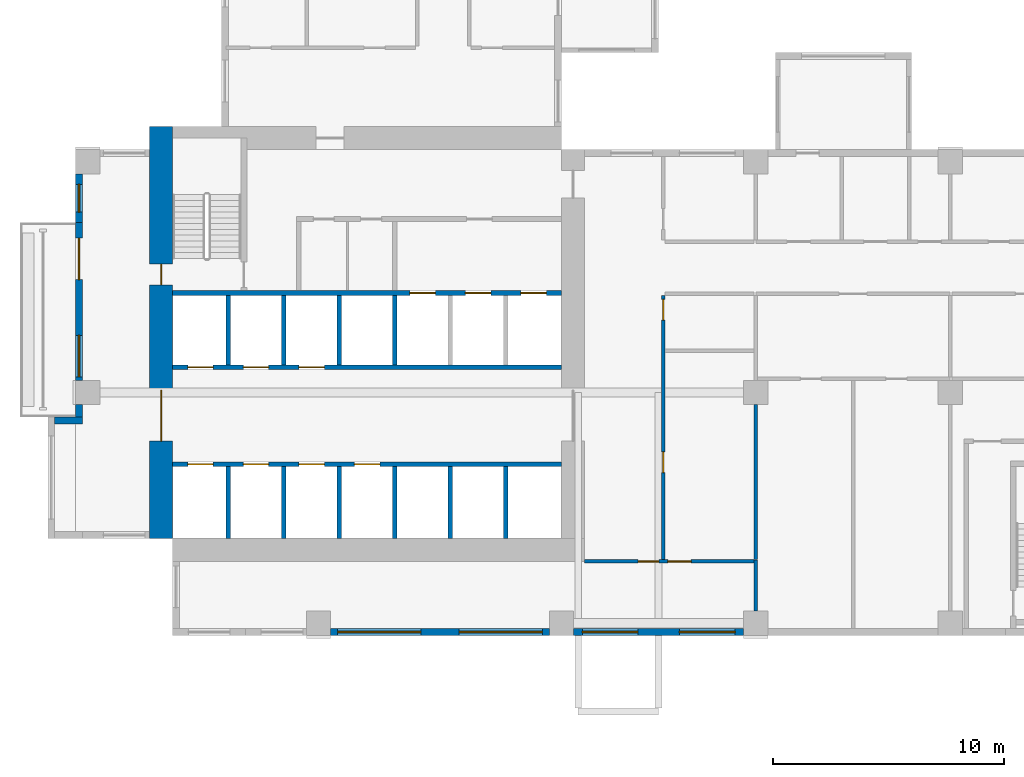
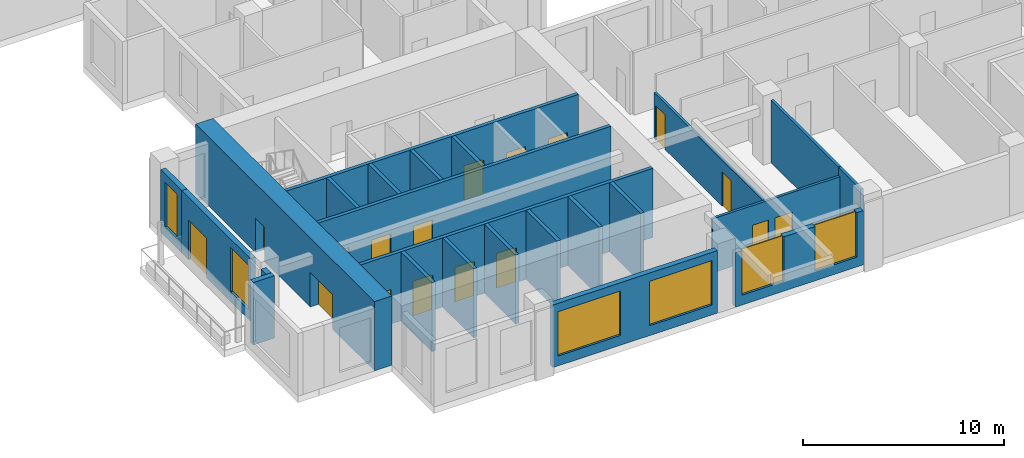
# One storey, part 2 of 15: 24 walls, 17 doors, 6 windows, 23 openings.
"""IFC4 building model written with IfcOpenShell, lengths in metres."""

import ifcopenshell
import ifcopenshell.guid

model = None  # the IFC model being written
_history = None  # IfcOwnerHistory: only IFC2X3 demands one
_inside = {}  # id of a spatial element -> (the spatial element, [elements in it])
_under = {}  # id of a project, library or spatial element -> (it, [spatial elements below it])
_declared = {}  # id of a project -> (the project, [libraries it declares])
_typed = {}  # id of a type object -> (the type object, [elements of that type])
_made_of = {}  # id of a material, layer set ... -> (it, [elements and type objects made of it])


def new_model(schema):
    """Start an empty IFC model of exactly this schema.

    Asked for "IFC4X3", IfcOpenShell would pick the latest addendum, in which some entities
    have other attributes; the version numbers below select the first issue.
    IFC2X3 requires an IfcOwnerHistory on every rooted entity: one is made here for all.
    """
    global model, _history
    if schema == "IFC4X3":
        model = ifcopenshell.file(schema_version=(4, 3, 0, 0))
    else:
        model = ifcopenshell.file(schema=schema)
    _inside.clear()
    _under.clear()
    _declared.clear()
    _typed.clear()
    _made_of.clear()
    _history = None
    if model.schema == "IFC2X3":
        org = make("IfcOrganization", Name="unknown")
        user = make(
            "IfcPersonAndOrganization",
            ThePerson=make("IfcPerson", FamilyName="unknown"),
            TheOrganization=org,
        )
        app = make(
            "IfcApplication",
            ApplicationDeveloper=org,
            Version="unknown",
            ApplicationFullName="unknown",
            ApplicationIdentifier="unknown",
        )
        _history = make(
            "IfcOwnerHistory",
            OwningUser=user,
            OwningApplication=app,
            ChangeAction="ADDED",
            CreationDate=0,
        )
    return model


def make(cls, **values):
    """One entity of the class cls with the attributes given. An attribute that is None is left unset."""
    return model.create_entity(
        cls, **{name: value for name, value in values.items() if value is not None}
    )


def rooted(cls, **values):
    """An entity with a GlobalId (a new one), such as an element, a storey or a relation."""
    return make(cls, GlobalId=ifcopenshell.guid.new(), OwnerHistory=_history, **values)


def si_unit(unit_type, name, prefix=None):
    """IfcSIUnit, for example si_unit("LENGTHUNIT", "METRE", prefix="MILLI")."""
    return make("IfcSIUnit", UnitType=unit_type, Prefix=prefix, Name=name)


def assignment(units):
    """IfcUnitAssignment: the units of a project."""
    return None if units is None else make("IfcUnitAssignment", Units=units)


def point(xyz):
    """IfcCartesianPoint."""
    return None if xyz is None else make("IfcCartesianPoint", Coordinates=xyz)


def direction(xyz):
    """IfcDirection."""
    return None if xyz is None else make("IfcDirection", DirectionRatios=xyz)


def frame(location, z_axis=None, x_axis=None):
    """IfcAxis2Placement3D, a coordinate frame: its origin and axes. An axis left out is left unset."""
    return make(
        "IfcAxis2Placement3D",
        Location=point(location),
        Axis=direction(z_axis),
        RefDirection=direction(x_axis),
    )


def frame_2d(location, x_axis=None):
    """IfcAxis2Placement2D, a coordinate frame in the plane: its origin and x axis."""
    return make(
        "IfcAxis2Placement2D", Location=point(location), RefDirection=direction(x_axis)
    )


def origin():
    """The frame at (0, 0, 0) with its axes left unset."""
    return frame((0.0, 0.0, 0.0))


def place(relative_to, where):
    """IfcLocalPlacement: puts the frame where relative to a parent placement (None: the world)."""
    return make(
        "IfcLocalPlacement", PlacementRelTo=relative_to, RelativePlacement=where
    )


def context(
    kind, dimensions, precision=None, world=None, true_north=None, identifier=None
):
    """IfcGeometricRepresentationContext, for example the 3D "Model" context."""
    return make(
        "IfcGeometricRepresentationContext",
        ContextIdentifier=identifier,
        ContextType=kind,
        CoordinateSpaceDimension=dimensions,
        Precision=precision,
        WorldCoordinateSystem=world,
        TrueNorth=true_north,
    )


def subcontext(parent, identifier, kind, view, scale=None):
    """IfcGeometricRepresentationSubContext, for example "Body" below "Model"."""
    return make(
        "IfcGeometricRepresentationSubContext",
        ContextIdentifier=identifier,
        ContextType=kind,
        ParentContext=parent,
        TargetScale=scale,
        TargetView=view,
    )


def project(units=None, contexts=None):
    """IfcProject with its units and contexts."""
    return rooted(
        "IfcProject",
        Name="project",
        RepresentationContexts=contexts,
        UnitsInContext=assignment(units),
    )


def spatial(cls, under=None, at=None, **own):
    """A site, building, storey or space (cls), placed at a placement, below another one or the project."""
    s = rooted(cls, ObjectPlacement=at, **own)
    if under is not None:
        _under.setdefault(under.id(), (under, []))[1].append(s)
    return s


def profile(cls, at=None, kind="AREA", **sizes):
    """A parametric profile (cls). Its sizes go by their IFC names, for example OverallWidth=200.0."""
    return make(cls, ProfileType=kind, Position=at, **sizes)


def rectangle(**sizes):
    """IfcRectangleProfileDef."""
    return profile("IfcRectangleProfileDef", **sizes)


def extrude(swept, where, along, depth):
    """IfcExtrudedAreaSolid: the profile swept, set in the frame where, extruded along a direction by depth."""
    return make(
        "IfcExtrudedAreaSolid",
        SweptArea=swept,
        Position=where,
        ExtrudedDirection=direction(along),
        Depth=depth,
    )


def shape(context_of_items, identifier, shape_type, items):
    """IfcShapeRepresentation: the items that make up one representation, for example the "Body"."""
    return make(
        "IfcShapeRepresentation",
        ContextOfItems=context_of_items,
        RepresentationIdentifier=identifier,
        RepresentationType=shape_type,
        Items=items,
    )


def source(mapping_origin, context_of_items, identifier, shape_type, items):
    """IfcRepresentationMap: a shape defined once, which mapped items show again and again."""
    return make(
        "IfcRepresentationMap",
        MappingOrigin=mapping_origin,
        MappedRepresentation=shape(context_of_items, identifier, shape_type, items),
    )


def transform(
    local_origin,
    x_axis=None,
    y_axis=None,
    z_axis=None,
    scale=None,
    scale2=None,
    scale3=None,
    uniform=True,
):
    """IfcCartesianTransformationOperator3D, or its non-uniform kind. x_axis, y_axis, z_axis: its Axis1, 2, 3."""
    if uniform:
        return make(
            "IfcCartesianTransformationOperator3D",
            Axis1=direction(x_axis),
            Axis2=direction(y_axis),
            LocalOrigin=point(local_origin),
            Scale=scale,
            Axis3=direction(z_axis),
        )
    return make(
        "IfcCartesianTransformationOperator3DnonUniform",
        Axis1=direction(x_axis),
        Axis2=direction(y_axis),
        LocalOrigin=point(local_origin),
        Scale=scale,
        Axis3=direction(z_axis),
        Scale2=scale2,
        Scale3=scale3,
    )


def mapped(mapping_source, mapping_target):
    """IfcMappedItem: shows the shape of a source again, moved by a transform."""
    return make(
        "IfcMappedItem", MappingSource=mapping_source, MappingTarget=mapping_target
    )


def material(Name=None, Category=None):
    """IfcMaterial."""
    return make("IfcMaterial", Name=Name, Category=Category)


def layer(
    of_material, thickness, ventilated=None, Name=None, Category=None, Priority=None
):
    """IfcMaterialLayer: one layer of a wall or slab, of a material (None: an air gap)."""
    return make(
        "IfcMaterialLayer",
        Material=of_material,
        LayerThickness=thickness,
        IsVentilated=ventilated,
        Name=Name,
        Category=Category,
        Priority=Priority,
    )


def layer_set(layers, Name=None):
    """IfcMaterialLayerSet."""
    return make("IfcMaterialLayerSet", MaterialLayers=layers, LayerSetName=Name)


def made_of(thing, what):
    """Note that an element or type object is made of a material, layer set ...; save() writes the relation."""
    if what is not None:
        _made_of.setdefault(what.id(), (what, []))[1].append(thing)
    return thing


def type_object(cls, material=None, **own):
    """A type object (cls), such as IfcWallType, which elements share."""
    return made_of(rooted(cls, **own), material)


def element(
    cls,
    number,
    at=None,
    inside=None,
    cuts=None,
    type_object=None,
    material=None,
    context=None,
    identifier="Body",
    shape_type=None,
    held_by="IfcProductDefinitionShape",
    body=None,
    shapes=None,
    **own,
):
    """One element of the class cls, such as IfcWall. Its Tag is "e" and its number.

    at: its placement. inside: the storey or other place that contains it. cuts: it is an
    opening in that element (IfcRelVoidsElement). A single representation is given by context,
    identifier, shape_type and body (its items); several are given by shapes. held_by: the class
    of the entity that holds the representations. save() writes the other relations.
    """
    e = rooted(cls, Tag="e%d" % number, ObjectPlacement=at, **own)
    if body is not None:
        shapes = [shape(context, identifier, shape_type, body)]
    if shapes is not None:
        e.Representation = make(held_by, Representations=shapes)
    if inside is not None:
        _inside.setdefault(inside.id(), (inside, []))[1].append(e)
    if cuts is not None:
        rooted(
            "IfcRelVoidsElement", RelatingBuildingElement=cuts, RelatedOpeningElement=e
        )
    if type_object is not None:
        _typed.setdefault(type_object.id(), (type_object, []))[1].append(e)
    return made_of(e, material)


def fill(opening, filler):
    """IfcRelFillsElement: the door or window that sits in an opening."""
    return rooted(
        "IfcRelFillsElement",
        RelatingOpeningElement=opening,
        RelatedBuildingElement=filler,
    )


def aggregate(whole, parts):
    """IfcRelAggregates: a whole, such as a stair, and the parts it consists of."""
    return rooted("IfcRelAggregates", RelatingObject=whole, RelatedObjects=parts)


def save(model, path):
    """Write the relations noted so far, then the file.

    IfcRelAggregates (storeys below a building ...), IfcRelContainedInSpatialStructure (elements
    in a storey), IfcRelDefinesByType, IfcRelAssociatesMaterial and IfcRelDeclares: one each for
    every whole, place, type object, material and project.
    """
    for whole, parts in _under.values():
        aggregate(whole, parts)
    for where, things in _inside.values():
        rooted(
            "IfcRelContainedInSpatialStructure",
            RelatedElements=things,
            RelatingStructure=where,
        )
    for kind, things in _typed.values():
        rooted("IfcRelDefinesByType", RelatedObjects=things, RelatingType=kind)
    for what, things in _made_of.values():
        rooted("IfcRelAssociatesMaterial", RelatedObjects=things, RelatingMaterial=what)
    for by, libraries in _declared.values():
        rooted("IfcRelDeclares", RelatingContext=by, RelatedDefinitions=libraries)
    model.write(path)


model = new_model("IFC4")

# Units and contexts
model_context = context("Model", 3, precision=1e-05, world=origin(), true_north=direction((0.0, 1.0)))
body_context = subcontext(model_context, "Body", "Model", "MODEL_VIEW")
ifc_project = project(units=[si_unit("LENGTHUNIT", "METRE"), si_unit("AREAUNIT", "SQUARE_METRE"), si_unit("VOLUMEUNIT", "CUBIC_METRE"), si_unit("PLANEANGLEUNIT", "RADIAN"), si_unit("MASSUNIT", "GRAM", prefix="KILO")], contexts=[model_context])

# Site, building, storey
site_placement = place(None, origin())
site = spatial("IfcSite", under=ifc_project, at=site_placement, CompositionType="ELEMENT")
building_placement = place(site_placement, origin())
building = spatial("IfcBuilding", under=site, at=building_placement, Name="Aurelian Terraces", CompositionType="ELEMENT")
storey_placement = place(building_placement, frame((0.0, 0.0, 107.7)))
storey = spatial("IfcBuildingStorey", under=building, at=storey_placement, Name="L23", CompositionType="ELEMENT", Elevation=107.7)

# Wall, openings, windows
ifc_material_1 = material(Name="Terracotta rainscreen cladding", Category="masonry")
ifc_layer_1 = layer(ifc_material_1, 0.3)
ifc_layer_set_1 = layer_set([ifc_layer_1], Name="EW-300")
wall_type_1 = type_object("IfcWallType", Name="EW-300", PredefinedType="STANDARD", material=ifc_layer_set_1)
wall_1_placement = place(storey_placement, frame((11.025, 0.15, 0.0), z_axis=(0.0, 0.0, 1.0), x_axis=(1.0, 0.0, 0.0)))
wall_1 = element("IfcWall", 1, at=wall_1_placement, inside=storey, type_object=wall_type_1, Name="External wall L23 F01.3", PredefinedType="STANDARD", context=body_context, shape_type="SweptSolid", body=[
    extrude(rectangle(XDim=9.45, YDim=0.3, at=frame_2d((4.725, 0.0))), origin(), (0.0, 0.0, 1.0), 3.8),
])
shared_shape_1 = source(origin(), body_context, "Body", "SweptSolid", [
    extrude(rectangle(XDim=3.6, YDim=2.7, at=frame_2d((1.8, 1.35))), frame((0.0, 0.16, 0.0), z_axis=(0.0, -1.0, 0.0), x_axis=(1.0, 0.0, 0.0)), (0.0, 0.0, 1.0), 0.32),
])
opening_1_placement = place(wall_1_placement, frame((0.3, 0.0, 0.6)))
opening_1 = element("IfcOpeningElement", 2, at=opening_1_placement, cuts=wall_1, Name="Opening W3627", PredefinedType="OPENING", context=body_context, shape_type="MappedRepresentation", body=[
    mapped(shared_shape_1, transform((0.0, 0.0, 0.0), scale=1.0)),
])
opening_2_placement = place(wall_1_placement, frame((5.55, 0.0, 0.6)))
opening_2 = element("IfcOpeningElement", 3, at=opening_2_placement, cuts=wall_1, Name="Opening W3627", PredefinedType="OPENING", context=body_context, shape_type="MappedRepresentation", body=[
    mapped(shared_shape_1, transform((0.0, 0.0, 0.0), scale=1.0)),
])
ifc_material_2 = material(Name="Clear glazing", Category="glass")
window_type_1 = type_object("IfcWindowType", Name="W-3600x2700", PartitioningType="SINGLE_PANEL", PredefinedType="WINDOW", material=ifc_material_2)
shared_shape_2 = source(origin(), body_context, "Body", "SweptSolid", [
    extrude(rectangle(XDim=3.6, YDim=2.7, at=frame_2d((1.8, 1.35))), frame((0.0, 0.03, 0.0), z_axis=(0.0, -1.0, 0.0), x_axis=(1.0, 0.0, 0.0)), (0.0, 0.0, 1.0), 0.06),
])
window_1_placement = place(opening_1_placement, origin())
window_1 = element("IfcWindow", 4, at=window_1_placement, inside=storey, type_object=window_type_1, Name="Window L23 L23-F01-03-0", OverallHeight=2.7, OverallWidth=3.6, PartitioningType="SINGLE_PANEL", PredefinedType="WINDOW", context=body_context, shape_type="MappedRepresentation", body=[
    mapped(shared_shape_2, transform((0.0, 0.0, 0.0), scale=1.0)),
])
fill(opening_1, window_1)
window_2_placement = place(opening_2_placement, origin())
window_2 = element("IfcWindow", 5, at=window_2_placement, inside=storey, type_object=window_type_1, Name="Window L23 L23-F01-03-1", OverallHeight=2.7, OverallWidth=3.6, PartitioningType="SINGLE_PANEL", PredefinedType="WINDOW", context=body_context, shape_type="MappedRepresentation", body=[
    mapped(shared_shape_2, transform((0.0, 0.0, 0.0), scale=1.0)),
])
fill(opening_2, window_2)

# Wall
wall_2_placement = place(storey_placement, frame((0.15, 9.975, 0.0), z_axis=(0.0, 0.0, 1.0), x_axis=(0.0, -1.0, 0.0)))
element("IfcWall", 6, at=wall_2_placement, inside=storey, type_object=wall_type_1, Name="External wall L23 F20.38", PredefinedType="STANDARD", context=body_context, shape_type="SweptSolid", body=[
    extrude(rectangle(XDim=0.525, YDim=0.3, at=frame_2d((0.2625, 0.0))), origin(), (0.0, 0.0, 1.0), 3.8),
])

# Wall, openings, doors
ifc_material_3 = material(Name="Gypsum board on steel studs", Category="steel")
ifc_layer_2 = layer(ifc_material_3, 0.15)
ifc_layer_set_2 = layer_set([ifc_layer_2], Name="Partition 150")
wall_type_2 = type_object("IfcWallType", Name="Partition 150", PredefinedType="PARTITIONING", material=ifc_layer_set_2)
wall_3_placement = place(storey_placement, frame((25.4, 14.7, 0.0), z_axis=(0.0, 0.0, 1.0), x_axis=(0.0, -1.0, 0.0)))
wall_3 = element("IfcWall", 7, at=wall_3_placement, inside=storey, type_object=wall_type_2, Name="Partition", PredefinedType="PARTITIONING", context=body_context, shape_type="SweptSolid", body=[
    extrude(rectangle(XDim=11.425, YDim=0.15, at=frame_2d((5.7125, 0.0))), origin(), (0.0, 0.0, 1.0), 2.8),
])
shared_shape_3 = source(origin(), body_context, "Body", "SweptSolid", [
    extrude(rectangle(XDim=0.9, YDim=2.1, at=frame_2d((0.45, 1.05))), frame((0.0, 0.085, 0.0), z_axis=(0.0, -1.0, 0.0), x_axis=(1.0, 0.0, 0.0)), (0.0, 0.0, 1.0), 0.17),
])
opening_3_placement = place(wall_3_placement, frame((6.7625, 0.0, 0.0)))
opening_3 = element("IfcOpeningElement", 8, at=opening_3_placement, cuts=wall_3, Name="Opening 723001", PredefinedType="OPENING", context=body_context, shape_type="MappedRepresentation", body=[
    mapped(shared_shape_3, transform((0.0, 0.0, 0.0), scale=1.0)),
])
opening_4_placement = place(wall_3_placement, frame((0.175, 0.0, 0.0)))
opening_4 = element("IfcOpeningElement", 9, at=opening_4_placement, cuts=wall_3, Name="Opening 723002", PredefinedType="OPENING", context=body_context, shape_type="MappedRepresentation", body=[
    mapped(shared_shape_3, transform((0.0, 0.0, 0.0), scale=1.0)),
])
ifc_material_4 = material(Name="Timber door leaf", Category="wood")
door_type_1 = type_object("IfcDoorType", Name="Room door 900x2100 left", OperationType="SINGLE_SWING_LEFT", PredefinedType="DOOR", material=ifc_material_4)
shared_shape_4 = source(origin(), body_context, "Body", "SweptSolid", [
    extrude(rectangle(XDim=0.9, YDim=2.1, at=frame_2d((0.45, 1.05))), frame((0.0, 0.025, 0.0), z_axis=(0.0, -1.0, 0.0), x_axis=(1.0, 0.0, 0.0)), (0.0, 0.0, 1.0), 0.05),
])
door_1_placement = place(opening_3_placement, origin())
door_1 = element("IfcDoor", 10, at=door_1_placement, inside=storey, type_object=door_type_1, Name="Door 723001", OperationType="SINGLE_SWING_LEFT", OverallHeight=2.1, OverallWidth=0.9, PredefinedType="DOOR", context=body_context, shape_type="MappedRepresentation", body=[
    mapped(shared_shape_4, transform((0.0, 0.0, 0.0), scale=1.0)),
])
fill(opening_3, door_1)
door_type_2 = type_object("IfcDoorType", Name="Room door 900x2100 right", OperationType="SINGLE_SWING_RIGHT", PredefinedType="DOOR", material=ifc_material_4)
door_2_placement = place(opening_4_placement, origin())
door_2 = element("IfcDoor", 11, at=door_2_placement, inside=storey, type_object=door_type_2, Name="Door 723002", OperationType="SINGLE_SWING_RIGHT", OverallHeight=2.1, OverallWidth=0.9, PredefinedType="DOOR", context=body_context, shape_type="MappedRepresentation", body=[
    mapped(shared_shape_4, transform((0.0, 0.0, 0.0), scale=1.0)),
])
fill(opening_4, door_2)

# Wall
wall_4_placement = place(storey_placement, frame((29.4, 3.275, 0.0), z_axis=(0.0, 0.0, 1.0), x_axis=(0.0, 1.0, 0.0)))
element("IfcWall", 12, at=wall_4_placement, inside=storey, type_object=wall_type_2, Name="Partition", PredefinedType="PARTITIONING", context=body_context, shape_type="SweptSolid", body=[
    extrude(rectangle(XDim=6.701, YDim=0.15, at=frame_2d((3.3505, 0.0))), origin(), (0.0, 0.0, 1.0), 3.8),
])

# Wall, openings, doors
wall_5_placement = place(storey_placement, frame((22.0, 3.2, 0.0), z_axis=(0.0, 0.0, 1.0), x_axis=(1.0, 0.0, 0.0)))
wall_5 = element("IfcWall", 13, at=wall_5_placement, inside=storey, type_object=wall_type_2, Name="Partition", PredefinedType="PARTITIONING", context=body_context, shape_type="SweptSolid", body=[
    extrude(rectangle(XDim=7.325, YDim=0.15, at=frame_2d((3.6625, 0.0))), origin(), (0.0, 0.0, 1.0), 3.3),
])
shared_shape_5 = source(origin(), body_context, "Body", "SweptSolid", [
    extrude(rectangle(XDim=1.0, YDim=2.1, at=frame_2d((0.5, 1.05))), frame((0.0, 0.085, 0.0), z_axis=(0.0, -1.0, 0.0), x_axis=(1.0, 0.0, 0.0)), (0.0, 0.0, 1.0), 0.17),
])
opening_5_placement = place(wall_5_placement, frame((3.6, 0.0, 0.0)))
opening_5 = element("IfcOpeningElement", 14, at=opening_5_placement, cuts=wall_5, Name="Opening 723004", PredefinedType="OPENING", context=body_context, shape_type="MappedRepresentation", body=[
    mapped(shared_shape_5, transform((0.0, 0.0, 0.0), scale=1.0)),
])
opening_6_placement = place(wall_5_placement, frame((2.313, 0.0, 0.0)))
opening_6 = element("IfcOpeningElement", 15, at=opening_6_placement, cuts=wall_5, Name="Opening 723048", PredefinedType="OPENING", context=body_context, shape_type="MappedRepresentation", body=[
    mapped(shared_shape_3, transform((0.0, 0.0, 0.0), scale=1.0)),
])
door_type_3 = type_object("IfcDoorType", Name="Room door 1000x2100 right", OperationType="SINGLE_SWING_RIGHT", PredefinedType="DOOR", material=ifc_material_4)
shared_shape_6 = source(origin(), body_context, "Body", "SweptSolid", [
    extrude(rectangle(XDim=1.0, YDim=2.1, at=frame_2d((0.5, 1.05))), frame((0.0, 0.025, 0.0), z_axis=(0.0, -1.0, 0.0), x_axis=(1.0, 0.0, 0.0)), (0.0, 0.0, 1.0), 0.05),
])
door_3_placement = place(opening_5_placement, origin())
door_3 = element("IfcDoor", 16, at=door_3_placement, inside=storey, type_object=door_type_3, Name="Door 723004", OperationType="SINGLE_SWING_RIGHT", OverallHeight=2.1, OverallWidth=1.0, PredefinedType="DOOR", context=body_context, shape_type="MappedRepresentation", body=[
    mapped(shared_shape_6, transform((0.0, 0.0, 0.0), scale=1.0)),
])
fill(opening_5, door_3)
door_4_placement = place(opening_6_placement, origin())
door_4 = element("IfcDoor", 17, at=door_4_placement, inside=storey, type_object=door_type_1, Name="Door 723048", OperationType="SINGLE_SWING_LEFT", OverallHeight=2.1, OverallWidth=0.9, PredefinedType="DOOR", context=body_context, shape_type="MappedRepresentation", body=[
    mapped(shared_shape_4, transform((0.0, 0.0, 0.0), scale=1.0)),
])
fill(opening_6, door_4)

# Wall
wall_6_placement = place(storey_placement, frame((29.4, 1.049, 0.0), z_axis=(0.0, 0.0, 1.0), x_axis=(0.0, 1.0, 0.0)))
element("IfcWall", 18, at=wall_6_placement, inside=storey, type_object=wall_type_2, Name="Partition", PredefinedType="PARTITIONING", context=body_context, shape_type="SweptSolid", body=[
    extrude(rectangle(XDim=2.206, YDim=0.15, at=frame_2d((1.103, 0.0))), origin(), (0.0, 0.0, 1.0), 3.8),
])

# Wall, openings, doors
ifc_material_5 = material(Name="Concrete fc' 83 MPa", Category="concrete")
ifc_layer_3 = layer(ifc_material_5, 1.0)
ifc_layer_set_3 = layer_set([ifc_layer_3], Name="CORE WALL 1000 FC83")
wall_type_3 = type_object("IfcWallType", Name="CORE WALL 1000 FC83", PredefinedType="SHEAR", material=ifc_layer_set_3)
shared_shape_7 = source(origin(), body_context, "Body", "SweptSolid", [
    extrude(rectangle(XDim=17.8, YDim=1.0, at=frame_2d((8.9, 0.0))), origin(), (0.0, 0.0, 1.0), 4.2),
])
wall_7_placement = place(storey_placement, frame((3.7, 4.2, 0.0), z_axis=(0.0, 0.0, 1.0), x_axis=(0.0, 1.0, 0.0)))
wall_7 = element("IfcWall", 19, at=wall_7_placement, inside=storey, type_object=wall_type_3, Name="Core wall W L23", PredefinedType="SHEAR", context=body_context, shape_type="MappedRepresentation", body=[
    mapped(shared_shape_7, transform((0.0, 0.0, 0.0), scale=1.0)),
])
shared_shape_8 = source(origin(), body_context, "Body", "SweptSolid", [
    extrude(rectangle(XDim=2.2, YDim=2.1, at=frame_2d((1.1, 1.05))), frame((0.0, 0.51, 0.0), z_axis=(0.0, -1.0, 0.0), x_axis=(1.0, 0.0, 0.0)), (0.0, 0.0, 1.0), 1.02),
])
opening_7_placement = place(wall_7_placement, frame((4.2, 0.0, 0.0)))
opening_7 = element("IfcOpeningElement", 20, at=opening_7_placement, cuts=wall_7, Name="Opening 62621", PredefinedType="OPENING", context=body_context, shape_type="MappedRepresentation", body=[
    mapped(shared_shape_8, transform((0.0, 0.0, 0.0), scale=1.0)),
])
shared_shape_9 = source(origin(), body_context, "Body", "SweptSolid", [
    extrude(rectangle(XDim=0.9, YDim=2.1, at=frame_2d((0.45, 1.05))), frame((0.0, 0.51, 0.0), z_axis=(0.0, -1.0, 0.0), x_axis=(1.0, 0.0, 0.0)), (0.0, 0.0, 1.0), 1.02),
])
opening_8_placement = place(wall_7_placement, frame((10.95, 0.0, 0.0)))
opening_8 = element("IfcOpeningElement", 21, at=opening_8_placement, cuts=wall_7, Name="Opening 62624", PredefinedType="OPENING", context=body_context, shape_type="MappedRepresentation", body=[
    mapped(shared_shape_9, transform((0.0, 0.0, 0.0), scale=1.0)),
])
ifc_material_6 = material(Name="Steel door leaf", Category="steel")
door_type_4 = type_object("IfcDoorType", Name="Core service door 900x2100", OperationType="SINGLE_SWING_LEFT", PredefinedType="DOOR", material=ifc_material_6)
door_5_placement = place(opening_8_placement, origin())
door_5 = element("IfcDoor", 22, at=door_5_placement, inside=storey, type_object=door_type_4, Name="Core door 62624", OperationType="SINGLE_SWING_LEFT", OverallHeight=2.1, OverallWidth=0.9, PredefinedType="DOOR", context=body_context, shape_type="MappedRepresentation", body=[
    mapped(shared_shape_4, transform((0.0, 0.0, 0.0), scale=1.0)),
])
fill(opening_8, door_5)
door_type_5 = type_object("IfcDoorType", Name="Core double door 2200x2100", OperationType="DOUBLE_DOOR_SINGLE_SWING", PredefinedType="DOOR", material=ifc_material_6)
shared_shape_10 = source(origin(), body_context, "Body", "SweptSolid", [
    extrude(rectangle(XDim=2.2, YDim=2.1, at=frame_2d((1.1, 1.05))), frame((0.0, 0.025, 0.0), z_axis=(0.0, -1.0, 0.0), x_axis=(1.0, 0.0, 0.0)), (0.0, 0.0, 1.0), 0.05),
])
door_6_placement = place(opening_7_placement, origin())
door_6 = element("IfcDoor", 23, at=door_6_placement, inside=storey, type_object=door_type_5, Name="Core door 62621", OperationType="DOUBLE_DOOR_SINGLE_SWING", OverallHeight=2.1, OverallWidth=2.2, PredefinedType="DOOR", context=body_context, shape_type="MappedRepresentation", body=[
    mapped(shared_shape_10, transform((0.0, 0.0, 0.0), scale=1.0)),
])
fill(opening_7, door_6)

# Wall
shared_shape_11 = source(origin(), body_context, "Body", "SweptSolid", [
    extrude(rectangle(XDim=1.2, YDim=0.3, at=frame_2d((0.6, 0.0))), origin(), (0.0, 0.0, 1.0), 3.8),
])
wall_8_placement = place(storey_placement, frame((0.3, 9.3, 0.0), z_axis=(0.0, 0.0, 1.0), x_axis=(-1.0, 0.0, 0.0)))
element("IfcWall", 24, at=wall_8_placement, inside=storey, type_object=wall_type_1, Name="Bay return L23 F20.39.1", PredefinedType="STANDARD", context=body_context, shape_type="MappedRepresentation", body=[
    mapped(shared_shape_11, transform((0.0, 0.0, 0.0), scale=1.0)),
])

# Wall, opening, window
shared_shape_12 = source(origin(), body_context, "Body", "SweptSolid", [
    extrude(rectangle(XDim=2.1, YDim=0.3, at=frame_2d((1.05, 0.0))), origin(), (0.0, 0.0, 1.0), 3.8),
])
wall_9_placement = place(storey_placement, frame((0.15, 19.95, 0.0), z_axis=(0.0, 0.0, 1.0), x_axis=(0.0, -1.0, 0.0)))
wall_9 = element("IfcWall", 25, at=wall_9_placement, inside=storey, type_object=wall_type_1, Name="External wall L23 F20.37", PredefinedType="STANDARD", context=body_context, shape_type="MappedRepresentation", body=[
    mapped(shared_shape_12, transform((0.0, 0.0, 0.0), scale=1.0)),
])
shared_shape_13 = source(origin(), body_context, "Body", "SweptSolid", [
    extrude(rectangle(XDim=1.2, YDim=2.7, at=frame_2d((0.6, 1.35))), frame((0.0, 0.16, 0.0), z_axis=(0.0, -1.0, 0.0), x_axis=(1.0, 0.0, 0.0)), (0.0, 0.0, 1.0), 0.32),
])
opening_9_placement = place(wall_9_placement, frame((0.45, 0.0, 0.6)))
opening_9 = element("IfcOpeningElement", 26, at=opening_9_placement, cuts=wall_9, Name="Opening W1227", PredefinedType="OPENING", context=body_context, shape_type="MappedRepresentation", body=[
    mapped(shared_shape_13, transform((0.0, 0.0, 0.0), scale=1.0)),
])
window_type_2 = type_object("IfcWindowType", Name="W-1200x2700", PartitioningType="SINGLE_PANEL", PredefinedType="WINDOW", material=ifc_material_2)
shared_shape_14 = source(origin(), body_context, "Body", "SweptSolid", [
    extrude(rectangle(XDim=1.2, YDim=2.7, at=frame_2d((0.6, 1.35))), frame((0.0, 0.03, 0.0), z_axis=(0.0, -1.0, 0.0), x_axis=(1.0, 0.0, 0.0)), (0.0, 0.0, 1.0), 0.06),
])
window_3_placement = place(opening_9_placement, origin())
window_3 = element("IfcWindow", 27, at=window_3_placement, inside=storey, type_object=window_type_2, Name="Window L23 L23-F20-37-P0", OverallHeight=2.7, OverallWidth=1.2, PartitioningType="SINGLE_PANEL", PredefinedType="WINDOW", context=body_context, shape_type="MappedRepresentation", body=[
    mapped(shared_shape_14, transform((0.0, 0.0, 0.0), scale=1.0)),
])
fill(opening_9, window_3)

# Wall, openings, windows
shared_shape_15 = source(origin(), body_context, "Body", "SweptSolid", [
    extrude(rectangle(XDim=7.35, YDim=0.3, at=frame_2d((3.675, 0.0))), origin(), (0.0, 0.0, 1.0), 3.3),
])
wall_10_placement = place(storey_placement, frame((21.525, 0.15, 0.0), z_axis=(0.0, 0.0, 1.0), x_axis=(1.0, 0.0, 0.0)))
wall_10 = element("IfcWall", 28, at=wall_10_placement, inside=storey, type_object=wall_type_1, Name="External wall L23 F01.4", PredefinedType="STANDARD", context=body_context, shape_type="MappedRepresentation", body=[
    mapped(shared_shape_15, transform((0.0, 0.0, 0.0), scale=1.0)),
])
shared_shape_16 = source(origin(), body_context, "Body", "SweptSolid", [
    extrude(rectangle(XDim=2.4, YDim=2.7, at=frame_2d((1.2, 1.35))), frame((0.0, 0.16, 0.0), z_axis=(0.0, -1.0, 0.0), x_axis=(1.0, 0.0, 0.0)), (0.0, 0.0, 1.0), 0.32),
])
opening_10_placement = place(wall_10_placement, frame((0.375, 0.0, 0.6)))
opening_10 = element("IfcOpeningElement", 29, at=opening_10_placement, cuts=wall_10, Name="Opening W2427", PredefinedType="OPENING", context=body_context, shape_type="MappedRepresentation", body=[
    mapped(shared_shape_16, transform((0.0, 0.0, 0.0), scale=1.0)),
])
opening_11_placement = place(wall_10_placement, frame((4.575, 0.0, 0.6)))
opening_11 = element("IfcOpeningElement", 30, at=opening_11_placement, cuts=wall_10, Name="Opening W2427", PredefinedType="OPENING", context=body_context, shape_type="MappedRepresentation", body=[
    mapped(shared_shape_16, transform((0.0, 0.0, 0.0), scale=1.0)),
])
window_type_3 = type_object("IfcWindowType", Name="W-2400x2700", PartitioningType="SINGLE_PANEL", PredefinedType="WINDOW", material=ifc_material_2)
shared_shape_17 = source(origin(), body_context, "Body", "SweptSolid", [
    extrude(rectangle(XDim=2.4, YDim=2.7, at=frame_2d((1.2, 1.35))), frame((0.0, 0.03, 0.0), z_axis=(0.0, -1.0, 0.0), x_axis=(1.0, 0.0, 0.0)), (0.0, 0.0, 1.0), 0.06),
])
window_4_placement = place(opening_10_placement, origin())
window_4 = element("IfcWindow", 31, at=window_4_placement, inside=storey, type_object=window_type_3, Name="Window L23 L23-F01-04-0", OverallHeight=2.7, OverallWidth=2.4, PartitioningType="SINGLE_PANEL", PredefinedType="WINDOW", context=body_context, shape_type="MappedRepresentation", body=[
    mapped(shared_shape_17, transform((0.0, 0.0, 0.0), scale=1.0)),
])
fill(opening_10, window_4)
window_5_placement = place(opening_11_placement, origin())
window_5 = element("IfcWindow", 32, at=window_5_placement, inside=storey, type_object=window_type_3, Name="Window L23 L23-F01-04-1", OverallHeight=2.7, OverallWidth=2.4, PartitioningType="SINGLE_PANEL", PredefinedType="WINDOW", context=body_context, shape_type="MappedRepresentation", body=[
    mapped(shared_shape_17, transform((0.0, 0.0, 0.0), scale=1.0)),
])
fill(opening_11, window_5)

# Wall, openings, door, window
shared_shape_18 = source(origin(), body_context, "Body", "SweptSolid", [
    extrude(rectangle(XDim=6.825, YDim=0.3, at=frame_2d((3.4125, 0.0))), origin(), (0.0, 0.0, 1.0), 3.8),
])
wall_11_placement = place(storey_placement, frame((0.15, 17.85, 0.0), z_axis=(0.0, 0.0, 1.0), x_axis=(0.0, -1.0, 0.0)))
wall_11 = element("IfcWall", 33, at=wall_11_placement, inside=storey, type_object=wall_type_1, Name="External wall L23 F20.38", PredefinedType="STANDARD", context=body_context, shape_type="MappedRepresentation", body=[
    mapped(shared_shape_18, transform((0.0, 0.0, 0.0), scale=1.0)),
])
shared_shape_19 = source(origin(), body_context, "Body", "SweptSolid", [
    extrude(rectangle(XDim=1.8, YDim=2.4, at=frame_2d((0.9, 1.2))), frame((0.0, 0.16, 0.0), z_axis=(0.0, -1.0, 0.0), x_axis=(1.0, 0.0, 0.0)), (0.0, 0.0, 1.0), 0.32),
])
opening_12_placement = place(wall_11_placement, frame((0.675, 0.0, 0.0)))
opening_12 = element("IfcOpeningElement", 34, at=opening_12_placement, cuts=wall_11, Name="Opening 82301", PredefinedType="OPENING", context=body_context, shape_type="MappedRepresentation", body=[
    mapped(shared_shape_19, transform((0.0, 0.0, 0.0), scale=1.0)),
])
shared_shape_20 = source(origin(), body_context, "Body", "SweptSolid", [
    extrude(rectangle(XDim=1.8, YDim=2.7, at=frame_2d((0.9, 1.35))), frame((0.0, 0.16, 0.0), z_axis=(0.0, -1.0, 0.0), x_axis=(1.0, 0.0, 0.0)), (0.0, 0.0, 1.0), 0.32),
])
opening_13_placement = place(wall_11_placement, frame((4.875, 0.0, 0.6)))
opening_13 = element("IfcOpeningElement", 35, at=opening_13_placement, cuts=wall_11, Name="Opening W1827", PredefinedType="OPENING", context=body_context, shape_type="MappedRepresentation", body=[
    mapped(shared_shape_20, transform((0.0, 0.0, 0.0), scale=1.0)),
])
door_type_6 = type_object("IfcDoorType", Name="BD-1800x2400", OperationType="SLIDING_TO_LEFT", PredefinedType="DOOR", material=ifc_material_2)
shared_shape_21 = source(origin(), body_context, "Body", "SweptSolid", [
    extrude(rectangle(XDim=1.8, YDim=2.4, at=frame_2d((0.9, 1.2))), frame((0.0, 0.025, 0.0), z_axis=(0.0, -1.0, 0.0), x_axis=(1.0, 0.0, 0.0)), (0.0, 0.0, 1.0), 0.05),
])
door_7_placement = place(opening_12_placement, origin())
door_7 = element("IfcDoor", 36, at=door_7_placement, inside=storey, type_object=door_type_6, Name="Balcony door L23 F20.38", OperationType="SLIDING_TO_LEFT", OverallHeight=2.4, OverallWidth=1.8, PredefinedType="DOOR", context=body_context, shape_type="MappedRepresentation", body=[
    mapped(shared_shape_21, transform((0.0, 0.0, 0.0), scale=1.0)),
])
fill(opening_12, door_7)
window_type_4 = type_object("IfcWindowType", Name="W-1800x2700", PartitioningType="SINGLE_PANEL", PredefinedType="WINDOW", material=ifc_material_2)
shared_shape_22 = source(origin(), body_context, "Body", "SweptSolid", [
    extrude(rectangle(XDim=1.8, YDim=2.7, at=frame_2d((0.9, 1.35))), frame((0.0, 0.03, 0.0), z_axis=(0.0, -1.0, 0.0), x_axis=(1.0, 0.0, 0.0)), (0.0, 0.0, 1.0), 0.06),
])
window_6_placement = place(opening_13_placement, origin())
window_6 = element("IfcWindow", 37, at=window_6_placement, inside=storey, type_object=window_type_4, Name="Window L23 L23-F20-38-1", OverallHeight=2.7, OverallWidth=1.8, PartitioningType="SINGLE_PANEL", PredefinedType="WINDOW", context=body_context, shape_type="MappedRepresentation", body=[
    mapped(shared_shape_22, transform((0.0, 0.0, 0.0), scale=1.0)),
])
fill(opening_13, window_6)

# Walls
ifc_material_7 = material(Name="Concrete fc' 40 MPa", Category="concrete")
ifc_layer_4 = layer(ifc_material_7, 0.2)
ifc_layer_set_4 = layer_set([ifc_layer_4], Name="Lift shaft wall 200")
wall_type_4 = type_object("IfcWallType", Name="Lift shaft wall 200", PredefinedType="SOLIDWALL", material=ifc_layer_set_4)
shared_shape_23 = source(origin(), body_context, "Body", "SweptSolid", [
    extrude(rectangle(XDim=3.1, YDim=0.2, at=frame_2d((1.55, 0.0))), origin(), (0.0, 0.0, 1.0), 4.2),
])
for number, where, z_axis, x_axis, name in (
    (38, (6.6, 4.2, 0.0), (0.0, 0.0, 1.0), (0.0, 1.0, 0.0), "L23 core wall CD-A1"),
    (39, (9.0, 4.2, 0.0), (0.0, 0.0, 1.0), (0.0, 1.0, 0.0), "L23 core wall CD-A2"),
    (40, (11.4, 4.2, 0.0), (0.0, 0.0, 1.0), (0.0, 1.0, 0.0), "L23 core wall CD-A3"),
    (41, (13.8, 4.2, 0.0), (0.0, 0.0, 1.0), (0.0, 1.0, 0.0), "L23 core wall CD-A4"),
    (42, (16.2, 4.2, 0.0), (0.0, 0.0, 1.0), (0.0, 1.0, 0.0), "L23 core wall CD-A5"),
    (43, (18.6, 4.2, 0.0), (0.0, 0.0, 1.0), (0.0, 1.0, 0.0), "L23 core wall CD-A6"),
):
    element("IfcWall", number, at=place(storey_placement, frame(where, z_axis=z_axis, x_axis=x_axis)), inside=storey, type_object=wall_type_4, Name=name, PredefinedType="SOLIDWALL", context=body_context, shape_type="MappedRepresentation", body=[
        mapped(shared_shape_23, transform((0.0, 0.0, 0.0), scale=1.0)),
    ])
shared_shape_24 = source(origin(), body_context, "Body", "SweptSolid", [
    extrude(rectangle(XDim=3.0, YDim=0.2, at=frame_2d((1.5, 0.0))), origin(), (0.0, 0.0, 1.0), 4.2),
])
for number, where, z_axis, x_axis, name in (
    (44, (6.6, 11.7, 0.0), (0.0, 0.0, 1.0), (0.0, 1.0, 0.0), "L23 core wall CD-B1"),
    (45, (9.0, 11.7, 0.0), (0.0, 0.0, 1.0), (0.0, 1.0, 0.0), "L23 core wall CD-B2"),
    (46, (11.4, 11.7, 0.0), (0.0, 0.0, 1.0), (0.0, 1.0, 0.0), "L23 core wall CD-B3"),
    (47, (13.8, 11.7, 0.0), (0.0, 0.0, 1.0), (0.0, 1.0, 0.0), "L23 core wall CD-B4"),
):
    element("IfcWall", number, at=place(storey_placement, frame(where, z_axis=z_axis, x_axis=x_axis)), inside=storey, type_object=wall_type_4, Name=name, PredefinedType="SOLIDWALL", context=body_context, shape_type="MappedRepresentation", body=[
        mapped(shared_shape_24, transform((0.0, 0.0, 0.0), scale=1.0)),
    ])

# Wall, openings, doors
shared_shape_25 = source(origin(), body_context, "Body", "SweptSolid", [
    extrude(rectangle(XDim=16.8, YDim=0.2, at=frame_2d((8.4, 0.0))), origin(), (0.0, 0.0, 1.0), 4.2),
])
wall_12_placement = place(storey_placement, frame((4.2, 7.4, 0.0), z_axis=(0.0, 0.0, 1.0), x_axis=(1.0, 0.0, 0.0)))
wall_12 = element("IfcWall", 48, at=wall_12_placement, inside=storey, type_object=wall_type_4, Name="L23 core wall CF-AF1", PredefinedType="SOLIDWALL", context=body_context, shape_type="MappedRepresentation", body=[
    mapped(shared_shape_25, transform((0.0, 0.0, 0.0), scale=1.0)),
])
shared_shape_26 = source(origin(), body_context, "Body", "SweptSolid", [
    extrude(rectangle(XDim=1.1, YDim=2.1, at=frame_2d((0.55, 1.05))), frame((0.0, 0.11, 0.0), z_axis=(0.0, -1.0, 0.0), x_axis=(1.0, 0.0, 0.0)), (0.0, 0.0, 1.0), 0.22),
])
opening_14_placement = place(wall_12_placement, frame((0.65, 0.0, 0.0)))
opening_14 = element("IfcOpeningElement", 49, at=opening_14_placement, cuts=wall_12, Name="Opening 62600", PredefinedType="OPENING", context=body_context, shape_type="MappedRepresentation", body=[
    mapped(shared_shape_26, transform((0.0, 0.0, 0.0), scale=1.0)),
])
opening_15_placement = place(wall_12_placement, frame((3.05, 0.0, 0.0)))
opening_15 = element("IfcOpeningElement", 50, at=opening_15_placement, cuts=wall_12, Name="Opening 62601", PredefinedType="OPENING", context=body_context, shape_type="MappedRepresentation", body=[
    mapped(shared_shape_26, transform((0.0, 0.0, 0.0), scale=1.0)),
])
opening_16_placement = place(wall_12_placement, frame((5.45, 0.0, 0.0)))
opening_16 = element("IfcOpeningElement", 51, at=opening_16_placement, cuts=wall_12, Name="Opening 62602", PredefinedType="OPENING", context=body_context, shape_type="MappedRepresentation", body=[
    mapped(shared_shape_26, transform((0.0, 0.0, 0.0), scale=1.0)),
])
opening_17_placement = place(wall_12_placement, frame((7.85, 0.0, 0.0)))
opening_17 = element("IfcOpeningElement", 52, at=opening_17_placement, cuts=wall_12, Name="Opening 62603", PredefinedType="OPENING", context=body_context, shape_type="MappedRepresentation", body=[
    mapped(shared_shape_26, transform((0.0, 0.0, 0.0), scale=1.0)),
])
ifc_material_8 = material(Name="Stainless steel", Category="steel")
door_type_7 = type_object("IfcDoorType", Name="Lift landing door 1100x2100", OperationType="SLIDING_TO_LEFT", PredefinedType="DOOR", material=ifc_material_8)
shared_shape_27 = source(origin(), body_context, "Body", "SweptSolid", [
    extrude(rectangle(XDim=1.1, YDim=2.1, at=frame_2d((0.55, 1.05))), frame((0.0, 0.025, 0.0), z_axis=(0.0, -1.0, 0.0), x_axis=(1.0, 0.0, 0.0)), (0.0, 0.0, 1.0), 0.05),
])
door_8_placement = place(opening_14_placement, origin())
door_8 = element("IfcDoor", 53, at=door_8_placement, inside=storey, type_object=door_type_7, Name="Lift landing door LL1 L23", OperationType="SLIDING_TO_LEFT", OverallHeight=2.1, OverallWidth=1.1, PredefinedType="DOOR", context=body_context, shape_type="MappedRepresentation", body=[
    mapped(shared_shape_27, transform((0.0, 0.0, 0.0), scale=1.0)),
])
fill(opening_14, door_8)
door_9_placement = place(opening_15_placement, origin())
door_9 = element("IfcDoor", 54, at=door_9_placement, inside=storey, type_object=door_type_7, Name="Lift landing door LL2 L23", OperationType="SLIDING_TO_LEFT", OverallHeight=2.1, OverallWidth=1.1, PredefinedType="DOOR", context=body_context, shape_type="MappedRepresentation", body=[
    mapped(shared_shape_27, transform((0.0, 0.0, 0.0), scale=1.0)),
])
fill(opening_15, door_9)
door_10_placement = place(opening_16_placement, origin())
door_10 = element("IfcDoor", 55, at=door_10_placement, inside=storey, type_object=door_type_7, Name="Lift landing door LL3 L23", OperationType="SLIDING_TO_LEFT", OverallHeight=2.1, OverallWidth=1.1, PredefinedType="DOOR", context=body_context, shape_type="MappedRepresentation", body=[
    mapped(shared_shape_27, transform((0.0, 0.0, 0.0), scale=1.0)),
])
fill(opening_16, door_10)
door_11_placement = place(opening_17_placement, origin())
door_11 = element("IfcDoor", 56, at=door_11_placement, inside=storey, type_object=door_type_7, Name="Lift landing door LL4 L23", OperationType="SLIDING_TO_LEFT", OverallHeight=2.1, OverallWidth=1.1, PredefinedType="DOOR", context=body_context, shape_type="MappedRepresentation", body=[
    mapped(shared_shape_27, transform((0.0, 0.0, 0.0), scale=1.0)),
])
fill(opening_17, door_11)

wall_13_placement = place(storey_placement, frame((4.2, 11.6, 0.0), z_axis=(0.0, 0.0, 1.0), x_axis=(1.0, 0.0, 0.0)))
wall_13 = element("IfcWall", 57, at=wall_13_placement, inside=storey, type_object=wall_type_4, Name="L23 core wall CF-BF1", PredefinedType="SOLIDWALL", context=body_context, shape_type="MappedRepresentation", body=[
    mapped(shared_shape_25, transform((0.0, 0.0, 0.0), scale=1.0)),
])
opening_18_placement = place(wall_13_placement, frame((0.65, 0.0, 0.0)))
opening_18 = element("IfcOpeningElement", 58, at=opening_18_placement, cuts=wall_13, Name="Opening 62604", PredefinedType="OPENING", context=body_context, shape_type="MappedRepresentation", body=[
    mapped(shared_shape_26, transform((0.0, 0.0, 0.0), scale=1.0)),
])
opening_19_placement = place(wall_13_placement, frame((3.05, 0.0, 0.0)))
opening_19 = element("IfcOpeningElement", 59, at=opening_19_placement, cuts=wall_13, Name="Opening 62605", PredefinedType="OPENING", context=body_context, shape_type="MappedRepresentation", body=[
    mapped(shared_shape_26, transform((0.0, 0.0, 0.0), scale=1.0)),
])
opening_20_placement = place(wall_13_placement, frame((5.45, 0.0, 0.0)))
opening_20 = element("IfcOpeningElement", 60, at=opening_20_placement, cuts=wall_13, Name="Opening 62606", PredefinedType="OPENING", context=body_context, shape_type="MappedRepresentation", body=[
    mapped(shared_shape_26, transform((0.0, 0.0, 0.0), scale=1.0)),
])
door_12_placement = place(opening_18_placement, origin())
door_12 = element("IfcDoor", 61, at=door_12_placement, inside=storey, type_object=door_type_7, Name="Lift landing door LL5 L23", OperationType="SLIDING_TO_LEFT", OverallHeight=2.1, OverallWidth=1.1, PredefinedType="DOOR", context=body_context, shape_type="MappedRepresentation", body=[
    mapped(shared_shape_27, transform((0.0, 0.0, 0.0), scale=1.0)),
])
fill(opening_18, door_12)
door_13_placement = place(opening_19_placement, origin())
door_13 = element("IfcDoor", 62, at=door_13_placement, inside=storey, type_object=door_type_7, Name="Lift landing door LL6 L23", OperationType="SLIDING_TO_LEFT", OverallHeight=2.1, OverallWidth=1.1, PredefinedType="DOOR", context=body_context, shape_type="MappedRepresentation", body=[
    mapped(shared_shape_27, transform((0.0, 0.0, 0.0), scale=1.0)),
])
fill(opening_19, door_13)
door_14_placement = place(opening_20_placement, origin())
door_14 = element("IfcDoor", 63, at=door_14_placement, inside=storey, type_object=door_type_7, Name="Lift landing door LL7 L23", OperationType="SLIDING_TO_LEFT", OverallHeight=2.1, OverallWidth=1.1, PredefinedType="DOOR", context=body_context, shape_type="MappedRepresentation", body=[
    mapped(shared_shape_27, transform((0.0, 0.0, 0.0), scale=1.0)),
])
fill(opening_20, door_14)

wall_14_placement = place(storey_placement, frame((4.2, 14.8, 0.0), z_axis=(0.0, 0.0, 1.0), x_axis=(1.0, 0.0, 0.0)))
wall_14 = element("IfcWall", 64, at=wall_14_placement, inside=storey, type_object=wall_type_4, Name="L23 core wall CF-BB1", PredefinedType="SOLIDWALL", context=body_context, shape_type="MappedRepresentation", body=[
    mapped(shared_shape_25, transform((0.0, 0.0, 0.0), scale=1.0)),
])
opening_21_placement = place(wall_14_placement, frame((10.25, 0.0, 0.0)))
opening_21 = element("IfcOpeningElement", 65, at=opening_21_placement, cuts=wall_14, Name="Opening 62607", PredefinedType="OPENING", context=body_context, shape_type="MappedRepresentation", body=[
    mapped(shared_shape_26, transform((0.0, 0.0, 0.0), scale=1.0)),
])
opening_22_placement = place(wall_14_placement, frame((12.65, 0.0, 0.0)))
opening_22 = element("IfcOpeningElement", 66, at=opening_22_placement, cuts=wall_14, Name="Opening 62608", PredefinedType="OPENING", context=body_context, shape_type="MappedRepresentation", body=[
    mapped(shared_shape_26, transform((0.0, 0.0, 0.0), scale=1.0)),
])
opening_23_placement = place(wall_14_placement, frame((15.05, 0.0, 0.0)))
opening_23 = element("IfcOpeningElement", 67, at=opening_23_placement, cuts=wall_14, Name="Opening 62609", PredefinedType="OPENING", context=body_context, shape_type="MappedRepresentation", body=[
    mapped(shared_shape_26, transform((0.0, 0.0, 0.0), scale=1.0)),
])
door_15_placement = place(opening_21_placement, origin())
door_15 = element("IfcDoor", 68, at=door_15_placement, inside=storey, type_object=door_type_7, Name="Lift landing door F1 L23", OperationType="SLIDING_TO_LEFT", OverallHeight=2.1, OverallWidth=1.1, PredefinedType="DOOR", context=body_context, shape_type="MappedRepresentation", body=[
    mapped(shared_shape_27, transform((0.0, 0.0, 0.0), scale=1.0)),
])
fill(opening_21, door_15)
door_16_placement = place(opening_22_placement, origin())
door_16 = element("IfcDoor", 69, at=door_16_placement, inside=storey, type_object=door_type_7, Name="Lift landing door F2 L23", OperationType="SLIDING_TO_LEFT", OverallHeight=2.1, OverallWidth=1.1, PredefinedType="DOOR", context=body_context, shape_type="MappedRepresentation", body=[
    mapped(shared_shape_27, transform((0.0, 0.0, 0.0), scale=1.0)),
])
fill(opening_22, door_16)
door_17_placement = place(opening_23_placement, origin())
door_17 = element("IfcDoor", 70, at=door_17_placement, inside=storey, type_object=door_type_7, Name="Lift landing door F3 L23", OperationType="SLIDING_TO_LEFT", OverallHeight=2.1, OverallWidth=1.1, PredefinedType="DOOR", context=body_context, shape_type="MappedRepresentation", body=[
    mapped(shared_shape_27, transform((0.0, 0.0, 0.0), scale=1.0)),
])
fill(opening_23, door_17)

save(model, "model.ifc")
